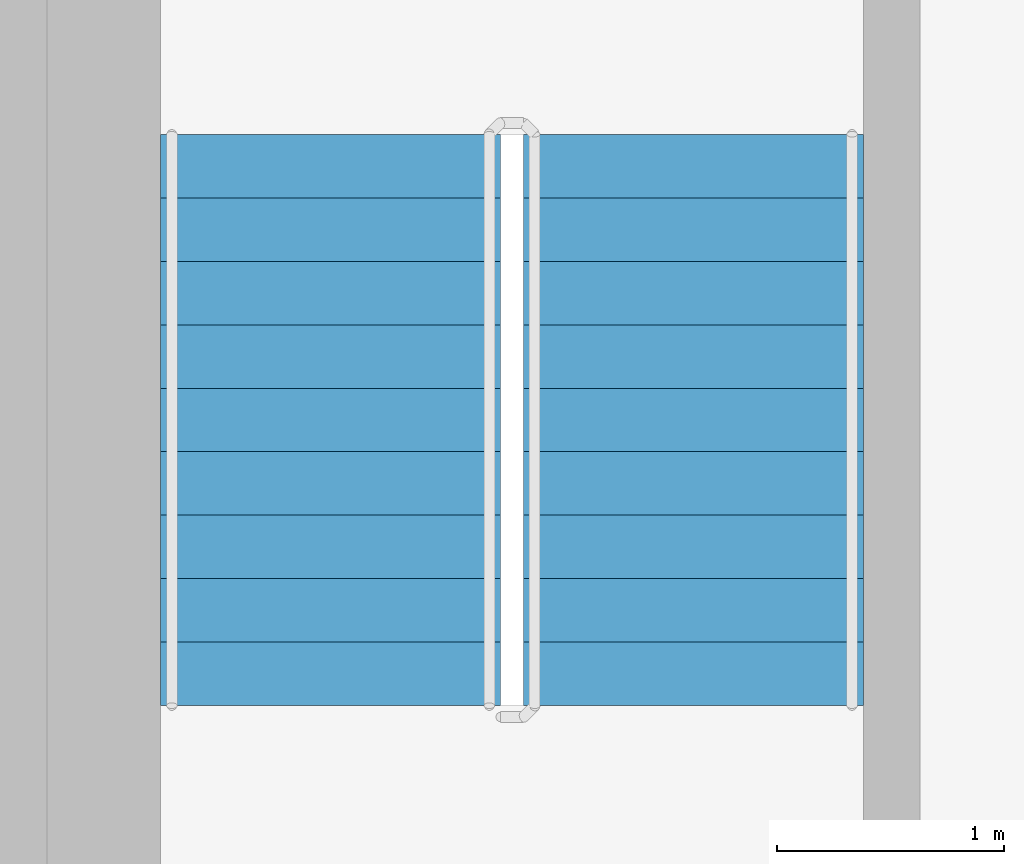
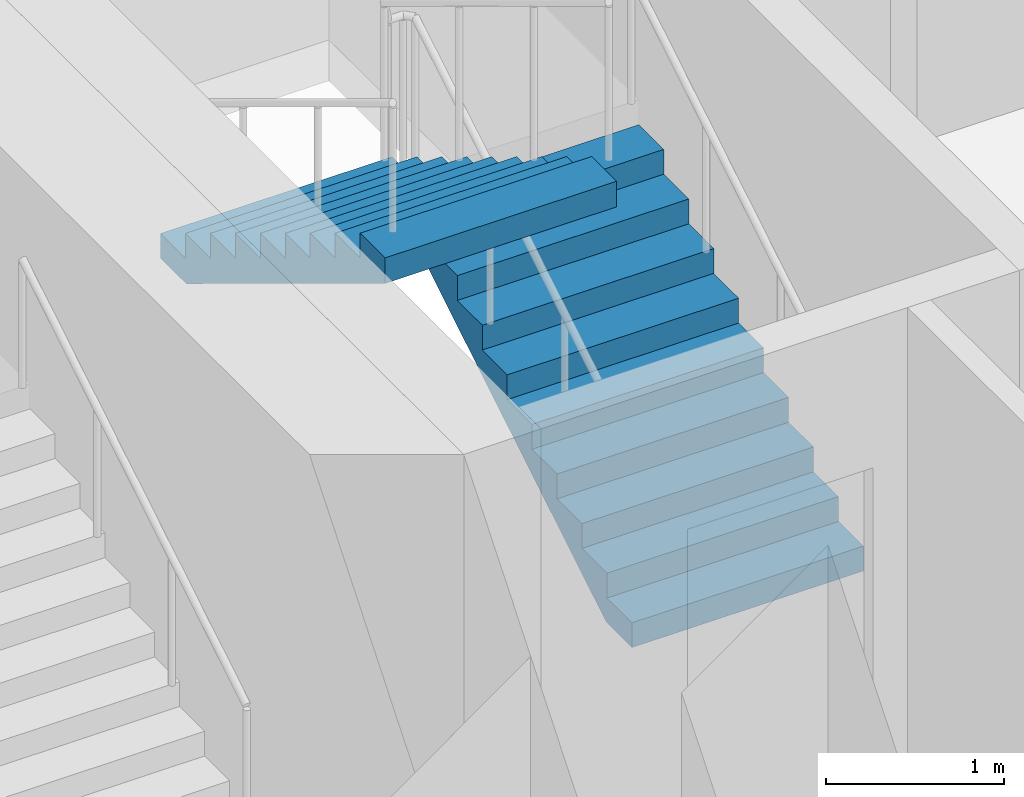
# One storey, part 12 of 19: 2 stair flights, 1 element without a shape of its own.
"""IFC4 building model written with IfcOpenShell, lengths in metres."""

import ifcopenshell
import ifcopenshell.guid

model = None  # the IFC model being written
_history = None  # IfcOwnerHistory: only IFC2X3 demands one
_inside = {}  # id of a spatial element -> (the spatial element, [elements in it])
_under = {}  # id of a project, library or spatial element -> (it, [spatial elements below it])
_declared = {}  # id of a project -> (the project, [libraries it declares])
_typed = {}  # id of a type object -> (the type object, [elements of that type])
_made_of = {}  # id of a material, layer set ... -> (it, [elements and type objects made of it])


def new_model(schema):
    """Start an empty IFC model of exactly this schema.

    Asked for "IFC4X3", IfcOpenShell would pick the latest addendum, in which some entities
    have other attributes; the version numbers below select the first issue.
    IFC2X3 requires an IfcOwnerHistory on every rooted entity: one is made here for all.
    """
    global model, _history
    if schema == "IFC4X3":
        model = ifcopenshell.file(schema_version=(4, 3, 0, 0))
    else:
        model = ifcopenshell.file(schema=schema)
    _inside.clear()
    _under.clear()
    _declared.clear()
    _typed.clear()
    _made_of.clear()
    _history = None
    if model.schema == "IFC2X3":
        org = make("IfcOrganization", Name="unknown")
        user = make(
            "IfcPersonAndOrganization",
            ThePerson=make("IfcPerson", FamilyName="unknown"),
            TheOrganization=org,
        )
        app = make(
            "IfcApplication",
            ApplicationDeveloper=org,
            Version="unknown",
            ApplicationFullName="unknown",
            ApplicationIdentifier="unknown",
        )
        _history = make(
            "IfcOwnerHistory",
            OwningUser=user,
            OwningApplication=app,
            ChangeAction="ADDED",
            CreationDate=0,
        )
    return model


def make(cls, **values):
    """One entity of the class cls with the attributes given. An attribute that is None is left unset."""
    return model.create_entity(
        cls, **{name: value for name, value in values.items() if value is not None}
    )


def rooted(cls, **values):
    """An entity with a GlobalId (a new one), such as an element, a storey or a relation."""
    return make(cls, GlobalId=ifcopenshell.guid.new(), OwnerHistory=_history, **values)


def si_unit(unit_type, name, prefix=None):
    """IfcSIUnit, for example si_unit("LENGTHUNIT", "METRE", prefix="MILLI")."""
    return make("IfcSIUnit", UnitType=unit_type, Prefix=prefix, Name=name)


def assignment(units):
    """IfcUnitAssignment: the units of a project."""
    return None if units is None else make("IfcUnitAssignment", Units=units)


def point(xyz):
    """IfcCartesianPoint."""
    return None if xyz is None else make("IfcCartesianPoint", Coordinates=xyz)


def direction(xyz):
    """IfcDirection."""
    return None if xyz is None else make("IfcDirection", DirectionRatios=xyz)


def frame(location, z_axis=None, x_axis=None):
    """IfcAxis2Placement3D, a coordinate frame: its origin and axes. An axis left out is left unset."""
    return make(
        "IfcAxis2Placement3D",
        Location=point(location),
        Axis=direction(z_axis),
        RefDirection=direction(x_axis),
    )


def origin():
    """The frame at (0, 0, 0) with its axes left unset."""
    return frame((0.0, 0.0, 0.0))


def place(relative_to, where):
    """IfcLocalPlacement: puts the frame where relative to a parent placement (None: the world)."""
    return make(
        "IfcLocalPlacement", PlacementRelTo=relative_to, RelativePlacement=where
    )


def context(
    kind, dimensions, precision=None, world=None, true_north=None, identifier=None
):
    """IfcGeometricRepresentationContext, for example the 3D "Model" context."""
    return make(
        "IfcGeometricRepresentationContext",
        ContextIdentifier=identifier,
        ContextType=kind,
        CoordinateSpaceDimension=dimensions,
        Precision=precision,
        WorldCoordinateSystem=world,
        TrueNorth=true_north,
    )


def subcontext(parent, identifier, kind, view, scale=None):
    """IfcGeometricRepresentationSubContext, for example "Body" below "Model"."""
    return make(
        "IfcGeometricRepresentationSubContext",
        ContextIdentifier=identifier,
        ContextType=kind,
        ParentContext=parent,
        TargetScale=scale,
        TargetView=view,
    )


def project(units=None, contexts=None):
    """IfcProject with its units and contexts."""
    return rooted(
        "IfcProject",
        Name="project",
        RepresentationContexts=contexts,
        UnitsInContext=assignment(units),
    )


def spatial(cls, under=None, at=None, **own):
    """A site, building, storey or space (cls), placed at a placement, below another one or the project."""
    s = rooted(cls, ObjectPlacement=at, **own)
    if under is not None:
        _under.setdefault(under.id(), (under, []))[1].append(s)
    return s


def point_list(points):
    """IfcCartesianPointList2D or 3D."""
    cls = (
        "IfcCartesianPointList2D" if len(points[0]) == 2 else "IfcCartesianPointList3D"
    )
    return make(cls, CoordList=points)


def triangles(points, corners, closed=None, point_numbers=None):
    """IfcTriangulatedFaceSet: each triangle names its three corners, points numbered from 1."""
    return make(
        "IfcTriangulatedFaceSet",
        Coordinates=point_list(points),
        Closed=closed,
        CoordIndex=corners,
        PnIndex=point_numbers,
    )


def shape(context_of_items, identifier, shape_type, items):
    """IfcShapeRepresentation: the items that make up one representation, for example the "Body"."""
    return make(
        "IfcShapeRepresentation",
        ContextOfItems=context_of_items,
        RepresentationIdentifier=identifier,
        RepresentationType=shape_type,
        Items=items,
    )


def source(mapping_origin, context_of_items, identifier, shape_type, items):
    """IfcRepresentationMap: a shape defined once, which mapped items show again and again."""
    return make(
        "IfcRepresentationMap",
        MappingOrigin=mapping_origin,
        MappedRepresentation=shape(context_of_items, identifier, shape_type, items),
    )


def transform(
    local_origin,
    x_axis=None,
    y_axis=None,
    z_axis=None,
    scale=None,
    scale2=None,
    scale3=None,
    uniform=True,
):
    """IfcCartesianTransformationOperator3D, or its non-uniform kind. x_axis, y_axis, z_axis: its Axis1, 2, 3."""
    if uniform:
        return make(
            "IfcCartesianTransformationOperator3D",
            Axis1=direction(x_axis),
            Axis2=direction(y_axis),
            LocalOrigin=point(local_origin),
            Scale=scale,
            Axis3=direction(z_axis),
        )
    return make(
        "IfcCartesianTransformationOperator3DnonUniform",
        Axis1=direction(x_axis),
        Axis2=direction(y_axis),
        LocalOrigin=point(local_origin),
        Scale=scale,
        Axis3=direction(z_axis),
        Scale2=scale2,
        Scale3=scale3,
    )


def mapped(mapping_source, mapping_target):
    """IfcMappedItem: shows the shape of a source again, moved by a transform."""
    return make(
        "IfcMappedItem", MappingSource=mapping_source, MappingTarget=mapping_target
    )


def material(Name=None, Category=None):
    """IfcMaterial."""
    return make("IfcMaterial", Name=Name, Category=Category)


def made_of(thing, what):
    """Note that an element or type object is made of a material, layer set ...; save() writes the relation."""
    if what is not None:
        _made_of.setdefault(what.id(), (what, []))[1].append(thing)
    return thing


def type_object(cls, material=None, **own):
    """A type object (cls), such as IfcWallType, which elements share."""
    return made_of(rooted(cls, **own), material)


def element(
    cls,
    number,
    at=None,
    inside=None,
    cuts=None,
    type_object=None,
    material=None,
    context=None,
    identifier="Body",
    shape_type=None,
    held_by="IfcProductDefinitionShape",
    body=None,
    shapes=None,
    **own,
):
    """One element of the class cls, such as IfcWall. Its Tag is "e" and its number.

    at: its placement. inside: the storey or other place that contains it. cuts: it is an
    opening in that element (IfcRelVoidsElement). A single representation is given by context,
    identifier, shape_type and body (its items); several are given by shapes. held_by: the class
    of the entity that holds the representations. save() writes the other relations.
    """
    e = rooted(cls, Tag="e%d" % number, ObjectPlacement=at, **own)
    if body is not None:
        shapes = [shape(context, identifier, shape_type, body)]
    if shapes is not None:
        e.Representation = make(held_by, Representations=shapes)
    if inside is not None:
        _inside.setdefault(inside.id(), (inside, []))[1].append(e)
    if cuts is not None:
        rooted(
            "IfcRelVoidsElement", RelatingBuildingElement=cuts, RelatedOpeningElement=e
        )
    if type_object is not None:
        _typed.setdefault(type_object.id(), (type_object, []))[1].append(e)
    return made_of(e, material)


def aggregate(whole, parts):
    """IfcRelAggregates: a whole, such as a stair, and the parts it consists of."""
    return rooted("IfcRelAggregates", RelatingObject=whole, RelatedObjects=parts)


def save(model, path):
    """Write the relations noted so far, then the file.

    IfcRelAggregates (storeys below a building ...), IfcRelContainedInSpatialStructure (elements
    in a storey), IfcRelDefinesByType, IfcRelAssociatesMaterial and IfcRelDeclares: one each for
    every whole, place, type object, material and project.
    """
    for whole, parts in _under.values():
        aggregate(whole, parts)
    for where, things in _inside.values():
        rooted(
            "IfcRelContainedInSpatialStructure",
            RelatedElements=things,
            RelatingStructure=where,
        )
    for kind, things in _typed.values():
        rooted("IfcRelDefinesByType", RelatedObjects=things, RelatingType=kind)
    for what, things in _made_of.values():
        rooted("IfcRelAssociatesMaterial", RelatedObjects=things, RelatingMaterial=what)
    for by, libraries in _declared.values():
        rooted("IfcRelDeclares", RelatingContext=by, RelatedDefinitions=libraries)
    model.write(path)


model = new_model("IFC4")

# Units and contexts
model_context = context("Model", 3, precision=1e-05, world=origin(), true_north=direction((0.0, 1.0)))
body_context = subcontext(model_context, "Body", "Model", "MODEL_VIEW")
ifc_project = project(units=[si_unit("LENGTHUNIT", "METRE"), si_unit("AREAUNIT", "SQUARE_METRE"), si_unit("VOLUMEUNIT", "CUBIC_METRE"), si_unit("PLANEANGLEUNIT", "RADIAN"), si_unit("MASSUNIT", "GRAM", prefix="KILO")], contexts=[model_context])

# Site, building, storey
site_placement = place(None, origin())
site = spatial("IfcSite", under=ifc_project, at=site_placement, CompositionType="ELEMENT")
building_placement = place(site_placement, origin())
building = spatial("IfcBuilding", under=site, at=building_placement, Name="Kilnfold Tower and Market Hall", CompositionType="ELEMENT")
storey_placement = place(building_placement, frame((0.0, 0.0, 245.800048828125)))
storey = spatial("IfcBuildingStorey", under=building, at=storey_placement, Name="L59", CompositionType="ELEMENT", Elevation=245.800048828125)

# Stair, stair flights
ifc_material_1 = material(Name="Concrete C40/50", Category="concrete")
stair_type = type_object("IfcStairType", Name="CORE STAIR 1500", PredefinedType="HALF_TURN_STAIR", material=ifc_material_1)
stair_placement = place(storey_placement, origin())
stair = element("IfcStair", 1, at=stair_placement, inside=storey, type_object=stair_type, Name="L59 ST5", PredefinedType="HALF_TURN_STAIR")
ifc_material_2 = material(Name="Concrete C40/50", Category="concrete")
stair_flight_type = type_object("IfcStairFlightType", Name="CORE STAIR FLIGHT 1500", PredefinedType="STRAIGHT", material=ifc_material_2)
shared_shape = source(origin(), body_context, "Body", "Tessellation", [
    triangles([(0.0, 0.75, 0.0), (0.0, 0.65625, 0.0), (0.0, 0.5625, 0.0), (0.0, 0.46875, 0.0), (0.0, 0.375, 0.0), (0.0, 0.28125, 0.0), (0.0, 0.1875, 0.0), (0.0, 0.09375, 0.0), (0.0, 0.0, 0.0), (0.0, -0.09375, 0.0), (0.0, -0.1875, 0.0), (0.0, -0.28125, 0.0), (0.0, -0.375, 0.0), (0.0, -0.46875, 0.0), (0.0, -0.5625, 0.0), (0.0, -0.65625, 0.0), (0.0, -0.75, 0.0), (0.0, 0.75, 0.169921875), (0.0, 0.65625, 0.169921875), (0.0, 0.5625, 0.169921875), (0.0, 0.46875, 0.169921875), (0.0, 0.375, 0.169921875), (0.0, 0.28125, 0.169921875), (0.0, 0.1875, 0.169921875), (0.0, 0.09375, 0.169921875), (0.0, 0.0, 0.169921875), (0.0, -0.09375, 0.169921875), (0.0, -0.1875, 0.169921875), (0.0, -0.28125, 0.169921875), (0.0, -0.375, 0.169921875), (0.0, -0.46875, 0.169921875), (0.0, -0.5625, 0.169921875), (0.0, -0.65625, 0.169921875), (0.0, -0.75, 0.169921875), (0.280029296875, 0.75, 0.169921875), (0.280029296875, 0.65625, 0.169921875), (0.280029296875, 0.5625, 0.169921875), (0.280029296875, 0.46875, 0.169921875), (0.280029296875, 0.375, 0.169921875), (0.280029296875, 0.28125, 0.169921875), (0.280029296875, 0.1875, 0.169921875), (0.280029296875, 0.09375, 0.169921875), (0.280029296875, 0.0, 0.169921875), (0.280029296875, -0.09375, 0.169921875), (0.280029296875, -0.1875, 0.169921875), (0.280029296875, -0.28125, 0.169921875), (0.280029296875, -0.375, 0.169921875), (0.280029296875, -0.46875, 0.169921875), (0.280029296875, -0.5625, 0.169921875), (0.280029296875, -0.65625, 0.169921875), (0.280029296875, -0.75, 0.169921875), (0.280029296875, 0.75, 0.340087890625), (0.280029296875, 0.65625, 0.340087890625), (0.280029296875, 0.5625, 0.340087890625), (0.280029296875, 0.46875, 0.340087890625), (0.280029296875, 0.375, 0.340087890625), (0.280029296875, 0.28125, 0.340087890625), (0.280029296875, 0.1875, 0.340087890625), (0.280029296875, 0.09375, 0.340087890625), (0.280029296875, 0.0, 0.340087890625), (0.280029296875, -0.09375, 0.340087890625), (0.280029296875, -0.1875, 0.340087890625), (0.280029296875, -0.28125, 0.340087890625), (0.280029296875, -0.375, 0.340087890625), (0.280029296875, -0.46875, 0.340087890625), (0.280029296875, -0.5625, 0.340087890625), (0.280029296875, -0.65625, 0.340087890625), (0.280029296875, -0.75, 0.340087890625), (0.56005859375, 0.75, 0.340087890625), (0.56005859375, 0.65625, 0.340087890625), (0.56005859375, 0.5625, 0.340087890625), (0.56005859375, 0.46875, 0.340087890625), (0.56005859375, 0.375, 0.340087890625), (0.56005859375, 0.28125, 0.340087890625), (0.56005859375, 0.1875, 0.340087890625), (0.56005859375, 0.09375, 0.340087890625), (0.56005859375, 0.0, 0.340087890625), (0.56005859375, -0.09375, 0.340087890625), (0.56005859375, -0.1875, 0.340087890625), (0.56005859375, -0.28125, 0.340087890625), (0.56005859375, -0.375, 0.340087890625), (0.56005859375, -0.46875, 0.340087890625), (0.56005859375, -0.5625, 0.340087890625), (0.56005859375, -0.65625, 0.340087890625), (0.56005859375, -0.75, 0.340087890625), (0.56005859375, 0.75, 0.510009765625), (0.56005859375, 0.65625, 0.510009765625), (0.56005859375, 0.5625, 0.510009765625), (0.56005859375, 0.46875, 0.510009765625), (0.56005859375, 0.375, 0.510009765625), (0.56005859375, 0.28125, 0.510009765625), (0.56005859375, 0.1875, 0.510009765625), (0.56005859375, 0.09375, 0.510009765625), (0.56005859375, 0.0, 0.510009765625), (0.56005859375, -0.09375, 0.510009765625), (0.56005859375, -0.1875, 0.510009765625), (0.56005859375, -0.28125, 0.510009765625), (0.56005859375, -0.375, 0.510009765625), (0.56005859375, -0.46875, 0.510009765625), (0.56005859375, -0.5625, 0.510009765625), (0.56005859375, -0.65625, 0.510009765625), (0.56005859375, -0.75, 0.510009765625), (0.840087890625, 0.75, 0.510009765625), (0.840087890625, 0.65625, 0.510009765625), (0.840087890625, 0.5625, 0.510009765625), (0.840087890625, 0.46875, 0.510009765625), (0.840087890625, 0.375, 0.510009765625), (0.840087890625, 0.28125, 0.510009765625), (0.840087890625, 0.1875, 0.510009765625), (0.840087890625, 0.09375, 0.510009765625), (0.840087890625, 0.0, 0.510009765625), (0.840087890625, -0.09375, 0.510009765625), (0.840087890625, -0.1875, 0.510009765625), (0.840087890625, -0.28125, 0.510009765625), (0.840087890625, -0.375, 0.510009765625), (0.840087890625, -0.46875, 0.510009765625), (0.840087890625, -0.5625, 0.510009765625), (0.840087890625, -0.65625, 0.510009765625), (0.840087890625, -0.75, 0.510009765625), (0.840087890625, 0.75, 0.679931640625), (0.840087890625, 0.65625, 0.679931640625), (0.840087890625, 0.5625, 0.679931640625), (0.840087890625, 0.46875, 0.679931640625), (0.840087890625, 0.375, 0.679931640625), (0.840087890625, 0.28125, 0.679931640625), (0.840087890625, 0.1875, 0.679931640625), (0.840087890625, 0.09375, 0.679931640625), (0.840087890625, 0.0, 0.679931640625), (0.840087890625, -0.09375, 0.679931640625), (0.840087890625, -0.1875, 0.679931640625), (0.840087890625, -0.28125, 0.679931640625), (0.840087890625, -0.375, 0.679931640625), (0.840087890625, -0.46875, 0.679931640625), (0.840087890625, -0.5625, 0.679931640625), (0.840087890625, -0.65625, 0.679931640625), (0.840087890625, -0.75, 0.679931640625), (1.1201171875, 0.75, 0.679931640625), (1.1201171875, 0.65625, 0.679931640625), (1.1201171875, 0.5625, 0.679931640625), (1.1201171875, 0.46875, 0.679931640625), (1.1201171875, 0.375, 0.679931640625), (1.1201171875, 0.28125, 0.679931640625), (1.1201171875, 0.1875, 0.679931640625), (1.1201171875, 0.09375, 0.679931640625), (1.1201171875, 0.0, 0.679931640625), (1.1201171875, -0.09375, 0.679931640625), (1.1201171875, -0.1875, 0.679931640625), (1.1201171875, -0.28125, 0.679931640625), (1.1201171875, -0.375, 0.679931640625), (1.1201171875, -0.46875, 0.679931640625), (1.1201171875, -0.5625, 0.679931640625), (1.1201171875, -0.65625, 0.679931640625), (1.1201171875, -0.75, 0.679931640625), (1.1201171875, 0.75, 0.85009765625), (1.1201171875, 0.65625, 0.85009765625), (1.1201171875, 0.5625, 0.85009765625), (1.1201171875, 0.46875, 0.85009765625), (1.1201171875, 0.375, 0.85009765625), (1.1201171875, 0.28125, 0.85009765625), (1.1201171875, 0.1875, 0.85009765625), (1.1201171875, 0.09375, 0.85009765625), (1.1201171875, 0.0, 0.85009765625), (1.1201171875, -0.09375, 0.85009765625), (1.1201171875, -0.1875, 0.85009765625), (1.1201171875, -0.28125, 0.85009765625), (1.1201171875, -0.375, 0.85009765625), (1.1201171875, -0.46875, 0.85009765625), (1.1201171875, -0.5625, 0.85009765625), (1.1201171875, -0.65625, 0.85009765625), (1.1201171875, -0.75, 0.85009765625), (1.39990234375, 0.75, 0.85009765625), (1.39990234375, 0.65625, 0.85009765625), (1.39990234375, 0.5625, 0.85009765625), (1.39990234375, 0.46875, 0.85009765625), (1.39990234375, 0.375, 0.85009765625), (1.39990234375, 0.28125, 0.85009765625), (1.39990234375, 0.1875, 0.85009765625), (1.39990234375, 0.09375, 0.85009765625), (1.39990234375, 0.0, 0.85009765625), (1.39990234375, -0.09375, 0.85009765625), (1.39990234375, -0.1875, 0.85009765625), (1.39990234375, -0.28125, 0.85009765625), (1.39990234375, -0.375, 0.85009765625), (1.39990234375, -0.46875, 0.85009765625), (1.39990234375, -0.5625, 0.85009765625), (1.39990234375, -0.65625, 0.85009765625), (1.39990234375, -0.75, 0.85009765625), (1.39990234375, 0.75, 1.02001953125), (1.39990234375, 0.65625, 1.02001953125), (1.39990234375, 0.5625, 1.02001953125), (1.39990234375, 0.46875, 1.02001953125), (1.39990234375, 0.375, 1.02001953125), (1.39990234375, 0.28125, 1.02001953125), (1.39990234375, 0.1875, 1.02001953125), (1.39990234375, 0.09375, 1.02001953125), (1.39990234375, 0.0, 1.02001953125), (1.39990234375, -0.09375, 1.02001953125), (1.39990234375, -0.1875, 1.02001953125), (1.39990234375, -0.28125, 1.02001953125), (1.39990234375, -0.375, 1.02001953125), (1.39990234375, -0.46875, 1.02001953125), (1.39990234375, -0.5625, 1.02001953125), (1.39990234375, -0.65625, 1.02001953125), (1.39990234375, -0.75, 1.02001953125), (1.679931640625, 0.75, 1.02001953125), (1.679931640625, 0.65625, 1.02001953125), (1.679931640625, 0.5625, 1.02001953125), (1.679931640625, 0.46875, 1.02001953125), (1.679931640625, 0.375, 1.02001953125), (1.679931640625, 0.28125, 1.02001953125), (1.679931640625, 0.1875, 1.02001953125), (1.679931640625, 0.09375, 1.02001953125), (1.679931640625, 0.0, 1.02001953125), (1.679931640625, -0.09375, 1.02001953125), (1.679931640625, -0.1875, 1.02001953125), (1.679931640625, -0.28125, 1.02001953125), (1.679931640625, -0.375, 1.02001953125), (1.679931640625, -0.46875, 1.02001953125), (1.679931640625, -0.5625, 1.02001953125), (1.679931640625, -0.65625, 1.02001953125), (1.679931640625, -0.75, 1.02001953125), (1.679931640625, 0.75, 1.18994140625), (1.679931640625, 0.65625, 1.18994140625), (1.679931640625, 0.5625, 1.18994140625), (1.679931640625, 0.46875, 1.18994140625), (1.679931640625, 0.375, 1.18994140625), (1.679931640625, 0.28125, 1.18994140625), (1.679931640625, 0.1875, 1.18994140625), (1.679931640625, 0.09375, 1.18994140625), (1.679931640625, 0.0, 1.18994140625), (1.679931640625, -0.09375, 1.18994140625), (1.679931640625, -0.1875, 1.18994140625), (1.679931640625, -0.28125, 1.18994140625), (1.679931640625, -0.375, 1.18994140625), (1.679931640625, -0.46875, 1.18994140625), (1.679931640625, -0.5625, 1.18994140625), (1.679931640625, -0.65625, 1.18994140625), (1.679931640625, -0.75, 1.18994140625), (1.9599609375, 0.75, 1.18994140625), (1.9599609375, 0.65625, 1.18994140625), (1.9599609375, 0.5625, 1.18994140625), (1.9599609375, 0.46875, 1.18994140625), (1.9599609375, 0.375, 1.18994140625), (1.9599609375, 0.28125, 1.18994140625), (1.9599609375, 0.1875, 1.18994140625), (1.9599609375, 0.09375, 1.18994140625), (1.9599609375, 0.0, 1.18994140625), (1.9599609375, -0.09375, 1.18994140625), (1.9599609375, -0.1875, 1.18994140625), (1.9599609375, -0.28125, 1.18994140625), (1.9599609375, -0.375, 1.18994140625), (1.9599609375, -0.46875, 1.18994140625), (1.9599609375, -0.5625, 1.18994140625), (1.9599609375, -0.65625, 1.18994140625), (1.9599609375, -0.75, 1.18994140625), (1.9599609375, 0.75, 1.360107421875), (1.9599609375, 0.65625, 1.360107421875), (1.9599609375, 0.5625, 1.360107421875), (1.9599609375, 0.46875, 1.360107421875), (1.9599609375, 0.375, 1.360107421875), (1.9599609375, 0.28125, 1.360107421875), (1.9599609375, 0.1875, 1.360107421875), (1.9599609375, 0.09375, 1.360107421875), (1.9599609375, 0.0, 1.360107421875), (1.9599609375, -0.09375, 1.360107421875), (1.9599609375, -0.1875, 1.360107421875), (1.9599609375, -0.28125, 1.360107421875), (1.9599609375, -0.375, 1.360107421875), (1.9599609375, -0.46875, 1.360107421875), (1.9599609375, -0.5625, 1.360107421875), (1.9599609375, -0.65625, 1.360107421875), (1.9599609375, -0.75, 1.360107421875), (2.239990234375, 0.75, 1.360107421875), (2.239990234375, 0.65625, 1.360107421875), (2.239990234375, 0.5625, 1.360107421875), (2.239990234375, 0.46875, 1.360107421875), (2.239990234375, 0.375, 1.360107421875), (2.239990234375, 0.28125, 1.360107421875), (2.239990234375, 0.1875, 1.360107421875), (2.239990234375, 0.09375, 1.360107421875), (2.239990234375, 0.0, 1.360107421875), (2.239990234375, -0.09375, 1.360107421875), (2.239990234375, -0.1875, 1.360107421875), (2.239990234375, -0.28125, 1.360107421875), (2.239990234375, -0.375, 1.360107421875), (2.239990234375, -0.46875, 1.360107421875), (2.239990234375, -0.5625, 1.360107421875), (2.239990234375, -0.65625, 1.360107421875), (2.239990234375, -0.75, 1.360107421875), (2.239990234375, 0.75, 1.530029296875), (2.239990234375, 0.65625, 1.530029296875), (2.239990234375, 0.5625, 1.530029296875), (2.239990234375, 0.46875, 1.530029296875), (2.239990234375, 0.375, 1.530029296875), (2.239990234375, 0.28125, 1.530029296875), (2.239990234375, 0.1875, 1.530029296875), (2.239990234375, 0.09375, 1.530029296875), (2.239990234375, 0.0, 1.530029296875), (2.239990234375, -0.09375, 1.530029296875), (2.239990234375, -0.1875, 1.530029296875), (2.239990234375, -0.28125, 1.530029296875), (2.239990234375, -0.375, 1.530029296875), (2.239990234375, -0.46875, 1.530029296875), (2.239990234375, -0.5625, 1.530029296875), (2.239990234375, -0.65625, 1.530029296875), (2.239990234375, -0.75, 1.530029296875), (2.52001953125, 0.75, 1.530029296875), (2.52001953125, 0.65625, 1.530029296875), (2.52001953125, 0.5625, 1.530029296875), (2.52001953125, 0.46875, 1.530029296875), (2.52001953125, 0.375, 1.530029296875), (2.52001953125, 0.28125, 1.530029296875), (2.52001953125, 0.1875, 1.530029296875), (2.52001953125, 0.09375, 1.530029296875), (2.52001953125, 0.0, 1.530029296875), (2.52001953125, -0.09375, 1.530029296875), (2.52001953125, -0.1875, 1.530029296875), (2.52001953125, -0.28125, 1.530029296875), (2.52001953125, -0.375, 1.530029296875), (2.52001953125, -0.46875, 1.530029296875), (2.52001953125, -0.5625, 1.530029296875), (2.52001953125, -0.65625, 1.530029296875), (2.52001953125, -0.75, 1.530029296875), (2.52001953125, 0.75, 1.354736328125), (2.52001953125, 0.65625, 1.354736328125), (2.52001953125, 0.5625, 1.354736328125), (2.52001953125, 0.46875, 1.354736328125), (2.52001953125, 0.375, 1.354736328125), (2.52001953125, 0.28125, 1.354736328125), (2.52001953125, 0.1875, 1.354736328125), (2.52001953125, 0.09375, 1.354736328125), (2.52001953125, 0.0, 1.354736328125), (2.52001953125, -0.09375, 1.354736328125), (2.52001953125, -0.1875, 1.354736328125), (2.52001953125, -0.28125, 1.354736328125), (2.52001953125, -0.375, 1.354736328125), (2.52001953125, -0.46875, 1.354736328125), (2.52001953125, -0.5625, 1.354736328125), (2.52001953125, -0.65625, 1.354736328125), (2.52001953125, -0.75, 1.354736328125), (0.288818359375, 0.75, 0.0), (0.288818359375, 0.65625, 0.0), (0.288818359375, 0.5625, 0.0), (0.288818359375, 0.46875, 0.0), (0.288818359375, 0.375, 0.0), (0.288818359375, 0.28125, 0.0), (0.288818359375, 0.1875, 0.0), (0.288818359375, 0.09375, 0.0), (0.288818359375, 0.0, 0.0), (0.288818359375, -0.09375, 0.0), (0.288818359375, -0.1875, 0.0), (0.288818359375, -0.28125, 0.0), (0.288818359375, -0.375, 0.0), (0.288818359375, -0.46875, 0.0), (0.288818359375, -0.5625, 0.0), (0.288818359375, -0.65625, 0.0), (0.288818359375, -0.75, 0.0)], [[1, 324, 341], [17, 357, 340], [324, 290, 307], [340, 323, 306], [324, 273, 290], [340, 306, 289], [324, 256, 273], [340, 289, 272], [324, 239, 256], [340, 272, 255], [239, 205, 222], [255, 238, 221], [324, 205, 239], [340, 255, 221], [205, 171, 188], [221, 204, 187], [324, 171, 205], [340, 221, 187], [171, 137, 154], [187, 170, 153], [324, 137, 171], [340, 187, 153], [137, 103, 120], [153, 136, 119], [324, 103, 137], [340, 153, 119], [103, 69, 86], [119, 102, 85], [324, 69, 103], [340, 119, 85], [69, 35, 52], [85, 68, 51], [324, 35, 69], [340, 85, 51], [1, 35, 324], [17, 340, 51], [35, 1, 18], [51, 34, 17], [1, 19, 18], [1, 2, 19], [2, 20, 19], [2, 3, 20], [3, 21, 20], [3, 4, 21], [4, 22, 21], [4, 5, 22], [5, 23, 22], [5, 6, 23], [6, 24, 23], [6, 7, 24], [7, 25, 24], [7, 8, 25], [8, 26, 25], [8, 9, 26], [9, 27, 26], [9, 10, 27], [10, 28, 27], [10, 11, 28], [11, 29, 28], [11, 12, 29], [12, 30, 29], [12, 13, 30], [13, 31, 30], [13, 14, 31], [14, 32, 31], [14, 15, 32], [15, 33, 32], [15, 16, 33], [16, 34, 33], [16, 17, 34], [18, 36, 35], [18, 19, 36], [19, 37, 36], [19, 20, 37], [20, 38, 37], [20, 21, 38], [21, 39, 38], [21, 22, 39], [22, 40, 39], [22, 23, 40], [23, 41, 40], [23, 24, 41], [24, 42, 41], [24, 25, 42], [25, 43, 42], [25, 26, 43], [26, 44, 43], [26, 27, 44], [27, 45, 44], [27, 28, 45], [28, 46, 45], [28, 29, 46], [29, 47, 46], [29, 30, 47], [30, 48, 47], [30, 31, 48], [31, 49, 48], [31, 32, 49], [32, 50, 49], [32, 33, 50], [33, 51, 50], [33, 34, 51], [35, 53, 52], [35, 36, 53], [36, 54, 53], [36, 37, 54], [37, 55, 54], [37, 38, 55], [38, 56, 55], [38, 39, 56], [39, 57, 56], [39, 40, 57], [40, 58, 57], [40, 41, 58], [41, 59, 58], [41, 42, 59], [42, 60, 59], [42, 43, 60], [43, 61, 60], [43, 44, 61], [44, 62, 61], [44, 45, 62], [45, 63, 62], [45, 46, 63], [46, 64, 63], [46, 47, 64], [47, 65, 64], [47, 48, 65], [48, 66, 65], [48, 49, 66], [49, 67, 66], [49, 50, 67], [50, 68, 67], [50, 51, 68], [52, 70, 69], [52, 53, 70], [53, 71, 70], [53, 54, 71], [54, 72, 71], [54, 55, 72], [55, 73, 72], [55, 56, 73], [56, 74, 73], [56, 57, 74], [57, 75, 74], [57, 58, 75], [58, 76, 75], [58, 59, 76], [59, 77, 76], [59, 60, 77], [60, 78, 77], [60, 61, 78], [61, 79, 78], [61, 62, 79], [62, 80, 79], [62, 63, 80], [63, 81, 80], [63, 64, 81], [64, 82, 81], [64, 65, 82], [65, 83, 82], [65, 66, 83], [66, 84, 83], [66, 67, 84], [67, 85, 84], [67, 68, 85], [69, 87, 86], [69, 70, 87], [70, 88, 87], [70, 71, 88], [71, 89, 88], [71, 72, 89], [72, 90, 89], [72, 73, 90], [73, 91, 90], [73, 74, 91], [74, 92, 91], [74, 75, 92], [75, 93, 92], [75, 76, 93], [76, 94, 93], [76, 77, 94], [77, 95, 94], [77, 78, 95], [78, 96, 95], [78, 79, 96], [79, 97, 96], [79, 80, 97], [80, 98, 97], [80, 81, 98], [81, 99, 98], [81, 82, 99], [82, 100, 99], [82, 83, 100], [83, 101, 100], [83, 84, 101], [84, 102, 101], [84, 85, 102], [86, 104, 103], [86, 87, 104], [87, 105, 104], [87, 88, 105], [88, 106, 105], [88, 89, 106], [89, 107, 106], [89, 90, 107], [90, 108, 107], [90, 91, 108], [91, 109, 108], [91, 92, 109], [92, 110, 109], [92, 93, 110], [93, 111, 110], [93, 94, 111], [94, 112, 111], [94, 95, 112], [95, 113, 112], [95, 96, 113], [96, 114, 113], [96, 97, 114], [97, 115, 114], [97, 98, 115], [98, 116, 115], [98, 99, 116], [99, 117, 116], [99, 100, 117], [100, 118, 117], [100, 101, 118], [101, 119, 118], [101, 102, 119], [103, 121, 120], [103, 104, 121], [104, 122, 121], [104, 105, 122], [105, 123, 122], [105, 106, 123], [106, 124, 123], [106, 107, 124], [107, 125, 124], [107, 108, 125], [108, 126, 125], [108, 109, 126], [109, 127, 126], [109, 110, 127], [110, 128, 127], [110, 111, 128], [111, 129, 128], [111, 112, 129], [112, 130, 129], [112, 113, 130], [113, 131, 130], [113, 114, 131], [114, 132, 131], [114, 115, 132], [115, 133, 132], [115, 116, 133], [116, 134, 133], [116, 117, 134], [117, 135, 134], [117, 118, 135], [118, 136, 135], [118, 119, 136], [120, 138, 137], [120, 121, 138], [121, 139, 138], [121, 122, 139], [122, 140, 139], [122, 123, 140], [123, 141, 140], [123, 124, 141], [124, 142, 141], [124, 125, 142], [125, 143, 142], [125, 126, 143], [126, 144, 143], [126, 127, 144], [127, 145, 144], [127, 128, 145], [128, 146, 145], [128, 129, 146], [129, 147, 146], [129, 130, 147], [130, 148, 147], [130, 131, 148], [131, 149, 148], [131, 132, 149], [132, 150, 149], [132, 133, 150], [133, 151, 150], [133, 134, 151], [134, 152, 151], [134, 135, 152], [135, 153, 152], [135, 136, 153], [137, 155, 154], [137, 138, 155], [138, 156, 155], [138, 139, 156], [139, 157, 156], [139, 140, 157], [140, 158, 157], [140, 141, 158], [141, 159, 158], [141, 142, 159], [142, 160, 159], [142, 143, 160], [143, 161, 160], [143, 144, 161], [144, 162, 161], [144, 145, 162], [145, 163, 162], [145, 146, 163], [146, 164, 163], [146, 147, 164], [147, 165, 164], [147, 148, 165], [148, 166, 165], [148, 149, 166], [149, 167, 166], [149, 150, 167], [150, 168, 167], [150, 151, 168], [151, 169, 168], [151, 152, 169], [152, 170, 169], [152, 153, 170], [154, 172, 171], [154, 155, 172], [155, 173, 172], [155, 156, 173], [156, 174, 173], [156, 157, 174], [157, 175, 174], [157, 158, 175], [158, 176, 175], [158, 159, 176], [159, 177, 176], [159, 160, 177], [160, 178, 177], [160, 161, 178], [161, 179, 178], [161, 162, 179], [162, 180, 179], [162, 163, 180], [163, 181, 180], [163, 164, 181], [164, 182, 181], [164, 165, 182], [165, 183, 182], [165, 166, 183], [166, 184, 183], [166, 167, 184], [167, 185, 184], [167, 168, 185], [168, 186, 185], [168, 169, 186], [169, 187, 186], [169, 170, 187], [171, 189, 188], [171, 172, 189], [172, 190, 189], [172, 173, 190], [173, 191, 190], [173, 174, 191], [174, 192, 191], [174, 175, 192], [175, 193, 192], [175, 176, 193], [176, 194, 193], [176, 177, 194], [177, 195, 194], [177, 178, 195], [178, 196, 195], [178, 179, 196], [179, 197, 196], [179, 180, 197], [180, 198, 197], [180, 181, 198], [181, 199, 198], [181, 182, 199], [182, 200, 199], [182, 183, 200], [183, 201, 200], [183, 184, 201], [184, 202, 201], [184, 185, 202], [185, 203, 202], [185, 186, 203], [186, 204, 203], [186, 187, 204], [188, 206, 205], [188, 189, 206], [189, 207, 206], [189, 190, 207], [190, 208, 207], [190, 191, 208], [191, 209, 208], [191, 192, 209], [192, 210, 209], [192, 193, 210], [193, 211, 210], [193, 194, 211], [194, 212, 211], [194, 195, 212], [195, 213, 212], [195, 196, 213], [196, 214, 213], [196, 197, 214], [197, 215, 214], [197, 198, 215], [198, 216, 215], [198, 199, 216], [199, 217, 216], [199, 200, 217], [200, 218, 217], [200, 201, 218], [201, 219, 218], [201, 202, 219], [202, 220, 219], [202, 203, 220], [203, 221, 220], [203, 204, 221], [205, 223, 222], [205, 206, 223], [206, 224, 223], [206, 207, 224], [207, 225, 224], [207, 208, 225], [208, 226, 225], [208, 209, 226], [209, 227, 226], [209, 210, 227], [210, 228, 227], [210, 211, 228], [211, 229, 228], [211, 212, 229], [212, 230, 229], [212, 213, 230], [213, 231, 230], [213, 214, 231], [214, 232, 231], [214, 215, 232], [215, 233, 232], [215, 216, 233], [216, 234, 233], [216, 217, 234], [217, 235, 234], [217, 218, 235], [218, 236, 235], [218, 219, 236], [219, 237, 236], [219, 220, 237], [220, 238, 237], [220, 221, 238], [222, 240, 239], [222, 223, 240], [223, 241, 240], [223, 224, 241], [224, 242, 241], [224, 225, 242], [225, 243, 242], [225, 226, 243], [226, 244, 243], [226, 227, 244], [227, 245, 244], [227, 228, 245], [228, 246, 245], [228, 229, 246], [229, 247, 246], [229, 230, 247], [230, 248, 247], [230, 231, 248], [231, 249, 248], [231, 232, 249], [232, 250, 249], [232, 233, 250], [233, 251, 250], [233, 234, 251], [234, 252, 251], [234, 235, 252], [235, 253, 252], [235, 236, 253], [236, 254, 253], [236, 237, 254], [237, 255, 254], [237, 238, 255], [239, 257, 256], [239, 240, 257], [240, 258, 257], [240, 241, 258], [241, 259, 258], [241, 242, 259], [242, 260, 259], [242, 243, 260], [243, 261, 260], [243, 244, 261], [244, 262, 261], [244, 245, 262], [245, 263, 262], [245, 246, 263], [246, 264, 263], [246, 247, 264], [247, 265, 264], [247, 248, 265], [248, 266, 265], [248, 249, 266], [249, 267, 266], [249, 250, 267], [250, 268, 267], [250, 251, 268], [251, 269, 268], [251, 252, 269], [252, 270, 269], [252, 253, 270], [253, 271, 270], [253, 254, 271], [254, 272, 271], [254, 255, 272], [256, 274, 273], [256, 257, 274], [257, 275, 274], [257, 258, 275], [258, 276, 275], [258, 259, 276], [259, 277, 276], [259, 260, 277], [260, 278, 277], [260, 261, 278], [261, 279, 278], [261, 262, 279], [262, 280, 279], [262, 263, 280], [263, 281, 280], [263, 264, 281], [264, 282, 281], [264, 265, 282], [265, 283, 282], [265, 266, 283], [266, 284, 283], [266, 267, 284], [267, 285, 284], [267, 268, 285], [268, 286, 285], [268, 269, 286], [269, 287, 286], [269, 270, 287], [270, 288, 287], [270, 271, 288], [271, 289, 288], [271, 272, 289], [273, 291, 290], [273, 274, 291], [274, 292, 291], [274, 275, 292], [275, 293, 292], [275, 276, 293], [276, 294, 293], [276, 277, 294], [277, 295, 294], [277, 278, 295], [278, 296, 295], [278, 279, 296], [279, 297, 296], [279, 280, 297], [280, 298, 297], [280, 281, 298], [281, 299, 298], [281, 282, 299], [282, 300, 299], [282, 283, 300], [283, 301, 300], [283, 284, 301], [284, 302, 301], [284, 285, 302], [285, 303, 302], [285, 286, 303], [286, 304, 303], [286, 287, 304], [287, 305, 304], [287, 288, 305], [288, 306, 305], [288, 289, 306], [290, 308, 307], [290, 291, 308], [291, 309, 308], [291, 292, 309], [292, 310, 309], [292, 293, 310], [293, 311, 310], [293, 294, 311], [294, 312, 311], [294, 295, 312], [295, 313, 312], [295, 296, 313], [296, 314, 313], [296, 297, 314], [297, 315, 314], [297, 298, 315], [298, 316, 315], [298, 299, 316], [299, 317, 316], [299, 300, 317], [300, 318, 317], [300, 301, 318], [301, 319, 318], [301, 302, 319], [302, 320, 319], [302, 303, 320], [303, 321, 320], [303, 304, 321], [304, 322, 321], [304, 305, 322], [305, 323, 322], [305, 306, 323], [307, 325, 324], [307, 308, 325], [308, 326, 325], [308, 309, 326], [309, 327, 326], [309, 310, 327], [310, 328, 327], [310, 311, 328], [311, 329, 328], [311, 312, 329], [312, 330, 329], [312, 313, 330], [313, 331, 330], [313, 314, 331], [314, 332, 331], [314, 315, 332], [315, 333, 332], [315, 316, 333], [316, 334, 333], [316, 317, 334], [317, 335, 334], [317, 318, 335], [318, 336, 335], [318, 319, 336], [319, 337, 336], [319, 320, 337], [320, 338, 337], [320, 321, 338], [321, 339, 338], [321, 322, 339], [322, 340, 339], [322, 323, 340], [324, 342, 341], [324, 325, 342], [325, 343, 342], [325, 326, 343], [326, 344, 343], [326, 327, 344], [327, 345, 344], [327, 328, 345], [328, 346, 345], [328, 329, 346], [329, 347, 346], [329, 330, 347], [330, 348, 347], [330, 331, 348], [331, 349, 348], [331, 332, 349], [332, 350, 349], [332, 333, 350], [333, 351, 350], [333, 334, 351], [334, 352, 351], [334, 335, 352], [335, 353, 352], [335, 336, 353], [336, 354, 353], [336, 337, 354], [337, 355, 354], [337, 338, 355], [338, 356, 355], [338, 339, 356], [339, 357, 356], [339, 340, 357], [341, 2, 1], [341, 342, 2], [342, 3, 2], [342, 343, 3], [343, 4, 3], [343, 344, 4], [344, 5, 4], [344, 345, 5], [345, 6, 5], [345, 346, 6], [346, 7, 6], [346, 347, 7], [347, 8, 7], [347, 348, 8], [348, 9, 8], [348, 349, 9], [349, 10, 9], [349, 350, 10], [350, 11, 10], [350, 351, 11], [351, 12, 11], [351, 352, 12], [352, 13, 12], [352, 353, 13], [353, 14, 13], [353, 354, 14], [354, 15, 14], [354, 355, 15], [355, 16, 15], [355, 356, 16], [356, 17, 16], [356, 357, 17]], closed=True),
])
stair_flight_1_placement = place(storey_placement, frame((20.699951171875, 11.5, 0.0), z_axis=(0.0, 0.0, 1.0), x_axis=(0.0, 1.0, 0.0)))
stair_flight_1 = element("IfcStairFlight", 2, at=stair_flight_1_placement, type_object=stair_flight_type, Name="ST5 flight 1", NumberOfRisers=10, NumberOfTreads=9, PredefinedType="STRAIGHT", RiserHeight=0.17, TreadLength=0.28, context=body_context, shape_type="MappedRepresentation", body=[
    mapped(shared_shape, transform((0.0, 0.0, 0.0))),
])
stair_flight_2_placement = place(storey_placement, frame((19.10009765625, 14.02001953125, 1.699951171875), z_axis=(0.0, 0.0, 1.0), x_axis=(0.0, -1.0, 0.0)))
stair_flight_2 = element("IfcStairFlight", 3, at=stair_flight_2_placement, type_object=stair_flight_type, Name="ST5 flight 2", NumberOfRisers=10, NumberOfTreads=9, PredefinedType="STRAIGHT", RiserHeight=0.17, TreadLength=0.28, context=body_context, shape_type="MappedRepresentation", body=[
    mapped(shared_shape, transform((0.0, 0.0, 0.0))),
])
aggregate(stair, [stair_flight_1, stair_flight_2])

save(model, "model.ifc")
